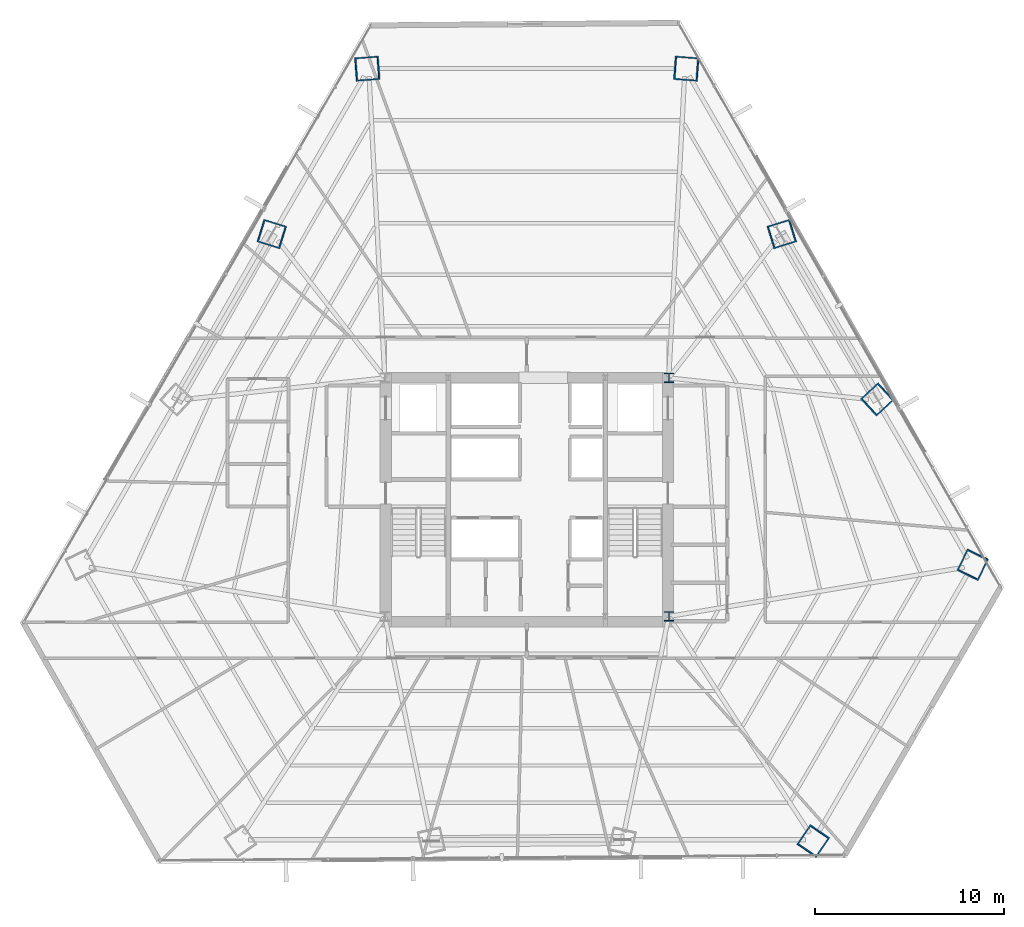
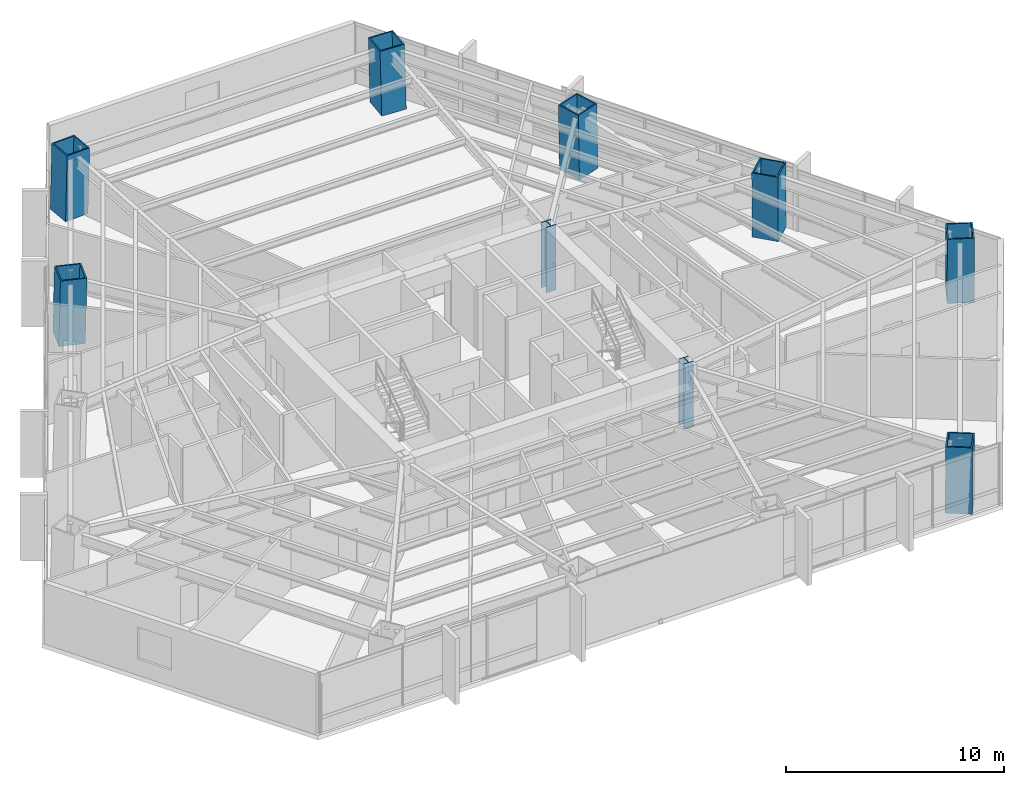
# One storey, part 3 of 36: 9 columns.
"""IFC4 building model written with IfcOpenShell, lengths in metres."""

import ifcopenshell
import ifcopenshell.guid

model = None  # the IFC model being written
_history = None  # IfcOwnerHistory: only IFC2X3 demands one
_inside = {}  # id of a spatial element -> (the spatial element, [elements in it])
_under = {}  # id of a project, library or spatial element -> (it, [spatial elements below it])
_declared = {}  # id of a project -> (the project, [libraries it declares])
_typed = {}  # id of a type object -> (the type object, [elements of that type])
_made_of = {}  # id of a material, layer set ... -> (it, [elements and type objects made of it])


def new_model(schema):
    """Start an empty IFC model of exactly this schema.

    Asked for "IFC4X3", IfcOpenShell would pick the latest addendum, in which some entities
    have other attributes; the version numbers below select the first issue.
    IFC2X3 requires an IfcOwnerHistory on every rooted entity: one is made here for all.
    """
    global model, _history
    if schema == "IFC4X3":
        model = ifcopenshell.file(schema_version=(4, 3, 0, 0))
    else:
        model = ifcopenshell.file(schema=schema)
    _inside.clear()
    _under.clear()
    _declared.clear()
    _typed.clear()
    _made_of.clear()
    _history = None
    if model.schema == "IFC2X3":
        org = make("IfcOrganization", Name="unknown")
        user = make(
            "IfcPersonAndOrganization",
            ThePerson=make("IfcPerson", FamilyName="unknown"),
            TheOrganization=org,
        )
        app = make(
            "IfcApplication",
            ApplicationDeveloper=org,
            Version="unknown",
            ApplicationFullName="unknown",
            ApplicationIdentifier="unknown",
        )
        _history = make(
            "IfcOwnerHistory",
            OwningUser=user,
            OwningApplication=app,
            ChangeAction="ADDED",
            CreationDate=0,
        )
    return model


def make(cls, **values):
    """One entity of the class cls with the attributes given. An attribute that is None is left unset."""
    return model.create_entity(
        cls, **{name: value for name, value in values.items() if value is not None}
    )


def rooted(cls, **values):
    """An entity with a GlobalId (a new one), such as an element, a storey or a relation."""
    return make(cls, GlobalId=ifcopenshell.guid.new(), OwnerHistory=_history, **values)


def si_unit(unit_type, name, prefix=None):
    """IfcSIUnit, for example si_unit("LENGTHUNIT", "METRE", prefix="MILLI")."""
    return make("IfcSIUnit", UnitType=unit_type, Prefix=prefix, Name=name)


def assignment(units):
    """IfcUnitAssignment: the units of a project."""
    return None if units is None else make("IfcUnitAssignment", Units=units)


def point(xyz):
    """IfcCartesianPoint."""
    return None if xyz is None else make("IfcCartesianPoint", Coordinates=xyz)


def direction(xyz):
    """IfcDirection."""
    return None if xyz is None else make("IfcDirection", DirectionRatios=xyz)


def frame(location, z_axis=None, x_axis=None):
    """IfcAxis2Placement3D, a coordinate frame: its origin and axes. An axis left out is left unset."""
    return make(
        "IfcAxis2Placement3D",
        Location=point(location),
        Axis=direction(z_axis),
        RefDirection=direction(x_axis),
    )


def frame_2d(location, x_axis=None):
    """IfcAxis2Placement2D, a coordinate frame in the plane: its origin and x axis."""
    return make(
        "IfcAxis2Placement2D", Location=point(location), RefDirection=direction(x_axis)
    )


def origin():
    """The frame at (0, 0, 0) with its axes left unset."""
    return frame((0.0, 0.0, 0.0))


def origin_2d():
    """The frame at (0, 0) in the plane with its x axis left unset."""
    return frame_2d((0.0, 0.0))


def place(relative_to, where):
    """IfcLocalPlacement: puts the frame where relative to a parent placement (None: the world)."""
    return make(
        "IfcLocalPlacement", PlacementRelTo=relative_to, RelativePlacement=where
    )


def context(
    kind, dimensions, precision=None, world=None, true_north=None, identifier=None
):
    """IfcGeometricRepresentationContext, for example the 3D "Model" context."""
    return make(
        "IfcGeometricRepresentationContext",
        ContextIdentifier=identifier,
        ContextType=kind,
        CoordinateSpaceDimension=dimensions,
        Precision=precision,
        WorldCoordinateSystem=world,
        TrueNorth=true_north,
    )


def subcontext(parent, identifier, kind, view, scale=None):
    """IfcGeometricRepresentationSubContext, for example "Body" below "Model"."""
    return make(
        "IfcGeometricRepresentationSubContext",
        ContextIdentifier=identifier,
        ContextType=kind,
        ParentContext=parent,
        TargetScale=scale,
        TargetView=view,
    )


def project(units=None, contexts=None):
    """IfcProject with its units and contexts."""
    return rooted(
        "IfcProject",
        Name="project",
        RepresentationContexts=contexts,
        UnitsInContext=assignment(units),
    )


def spatial(cls, under=None, at=None, **own):
    """A site, building, storey or space (cls), placed at a placement, below another one or the project."""
    s = rooted(cls, ObjectPlacement=at, **own)
    if under is not None:
        _under.setdefault(under.id(), (under, []))[1].append(s)
    return s


def profile(cls, at=None, kind="AREA", **sizes):
    """A parametric profile (cls). Its sizes go by their IFC names, for example OverallWidth=200.0."""
    return make(cls, ProfileType=kind, Position=at, **sizes)


def hollow_rectangle(**sizes):
    """IfcRectangleHollowProfileDef."""
    return profile("IfcRectangleHollowProfileDef", **sizes)


def i_section(**sizes):
    """IfcIShapeProfileDef."""
    return profile("IfcIShapeProfileDef", **sizes)


def extrude(swept, where, along, depth):
    """IfcExtrudedAreaSolid: the profile swept, set in the frame where, extruded along a direction by depth."""
    return make(
        "IfcExtrudedAreaSolid",
        SweptArea=swept,
        Position=where,
        ExtrudedDirection=direction(along),
        Depth=depth,
    )


def shape(context_of_items, identifier, shape_type, items):
    """IfcShapeRepresentation: the items that make up one representation, for example the "Body"."""
    return make(
        "IfcShapeRepresentation",
        ContextOfItems=context_of_items,
        RepresentationIdentifier=identifier,
        RepresentationType=shape_type,
        Items=items,
    )


def source(mapping_origin, context_of_items, identifier, shape_type, items):
    """IfcRepresentationMap: a shape defined once, which mapped items show again and again."""
    return make(
        "IfcRepresentationMap",
        MappingOrigin=mapping_origin,
        MappedRepresentation=shape(context_of_items, identifier, shape_type, items),
    )


def transform(
    local_origin,
    x_axis=None,
    y_axis=None,
    z_axis=None,
    scale=None,
    scale2=None,
    scale3=None,
    uniform=True,
):
    """IfcCartesianTransformationOperator3D, or its non-uniform kind. x_axis, y_axis, z_axis: its Axis1, 2, 3."""
    if uniform:
        return make(
            "IfcCartesianTransformationOperator3D",
            Axis1=direction(x_axis),
            Axis2=direction(y_axis),
            LocalOrigin=point(local_origin),
            Scale=scale,
            Axis3=direction(z_axis),
        )
    return make(
        "IfcCartesianTransformationOperator3DnonUniform",
        Axis1=direction(x_axis),
        Axis2=direction(y_axis),
        LocalOrigin=point(local_origin),
        Scale=scale,
        Axis3=direction(z_axis),
        Scale2=scale2,
        Scale3=scale3,
    )


def mapped(mapping_source, mapping_target):
    """IfcMappedItem: shows the shape of a source again, moved by a transform."""
    return make(
        "IfcMappedItem", MappingSource=mapping_source, MappingTarget=mapping_target
    )


def material(Name=None, Category=None):
    """IfcMaterial."""
    return make("IfcMaterial", Name=Name, Category=Category)


def material_profile(
    of_material, cross_section, Name=None, Category=None, Priority=None
):
    """IfcMaterialProfile: a cross section and its material."""
    return make(
        "IfcMaterialProfile",
        Name=Name,
        Material=of_material,
        Profile=cross_section,
        Priority=Priority,
        Category=Category,
    )


def profile_set(profiles, Name=None, composite=None):
    """IfcMaterialProfileSet."""
    return make(
        "IfcMaterialProfileSet",
        Name=Name,
        MaterialProfiles=profiles,
        CompositeProfile=composite,
    )


def made_of(thing, what):
    """Note that an element or type object is made of a material, layer set ...; save() writes the relation."""
    if what is not None:
        _made_of.setdefault(what.id(), (what, []))[1].append(thing)
    return thing


def type_object(cls, material=None, **own):
    """A type object (cls), such as IfcWallType, which elements share."""
    return made_of(rooted(cls, **own), material)


def type_shapes(of_type, sources):
    """Give a type object the sources (RepresentationMaps) that its elements show as mapped items."""
    of_type.RepresentationMaps = sources


def element(
    cls,
    number,
    at=None,
    inside=None,
    cuts=None,
    type_object=None,
    material=None,
    context=None,
    identifier="Body",
    shape_type=None,
    held_by="IfcProductDefinitionShape",
    body=None,
    shapes=None,
    **own,
):
    """One element of the class cls, such as IfcWall. Its Tag is "e" and its number.

    at: its placement. inside: the storey or other place that contains it. cuts: it is an
    opening in that element (IfcRelVoidsElement). A single representation is given by context,
    identifier, shape_type and body (its items); several are given by shapes. held_by: the class
    of the entity that holds the representations. save() writes the other relations.
    """
    e = rooted(cls, Tag="e%d" % number, ObjectPlacement=at, **own)
    if body is not None:
        shapes = [shape(context, identifier, shape_type, body)]
    if shapes is not None:
        e.Representation = make(held_by, Representations=shapes)
    if inside is not None:
        _inside.setdefault(inside.id(), (inside, []))[1].append(e)
    if cuts is not None:
        rooted(
            "IfcRelVoidsElement", RelatingBuildingElement=cuts, RelatedOpeningElement=e
        )
    if type_object is not None:
        _typed.setdefault(type_object.id(), (type_object, []))[1].append(e)
    return made_of(e, material)


def aggregate(whole, parts):
    """IfcRelAggregates: a whole, such as a stair, and the parts it consists of."""
    return rooted("IfcRelAggregates", RelatingObject=whole, RelatedObjects=parts)


def save(model, path):
    """Write the relations noted so far, then the file.

    IfcRelAggregates (storeys below a building ...), IfcRelContainedInSpatialStructure (elements
    in a storey), IfcRelDefinesByType, IfcRelAssociatesMaterial and IfcRelDeclares: one each for
    every whole, place, type object, material and project.
    """
    for whole, parts in _under.values():
        aggregate(whole, parts)
    for where, things in _inside.values():
        rooted(
            "IfcRelContainedInSpatialStructure",
            RelatedElements=things,
            RelatingStructure=where,
        )
    for kind, things in _typed.values():
        rooted("IfcRelDefinesByType", RelatedObjects=things, RelatingType=kind)
    for what, things in _made_of.values():
        rooted("IfcRelAssociatesMaterial", RelatedObjects=things, RelatingMaterial=what)
    for by, libraries in _declared.values():
        rooted("IfcRelDeclares", RelatingContext=by, RelatedDefinitions=libraries)
    model.write(path)


model = new_model("IFC4")

# Units and contexts
model_context = context("Model", 3, precision=1e-05, world=origin(), true_north=direction((0.0, 1.0)))
body_context = subcontext(model_context, "Body", "Model", "MODEL_VIEW")
ifc_project = project(units=[si_unit("LENGTHUNIT", "METRE"), si_unit("AREAUNIT", "SQUARE_METRE"), si_unit("VOLUMEUNIT", "CUBIC_METRE"), si_unit("PLANEANGLEUNIT", "RADIAN"), si_unit("MASSUNIT", "GRAM", prefix="KILO")], contexts=[model_context])

# Site, building, storey
site_placement = place(None, origin())
site = spatial("IfcSite", under=ifc_project, at=site_placement, CompositionType="ELEMENT")
building_placement = place(site_placement, origin())
building = spatial("IfcBuilding", under=site, at=building_placement, Name="Caelisora Broadcast Tower", CompositionType="ELEMENT")
storey_placement = place(building_placement, frame((0.0, 0.0, 64.10009765625)))
storey = spatial("IfcBuildingStorey", under=building, at=storey_placement, Name="L16", CompositionType="ELEMENT", Elevation=64.10009765625)

# Columns
ifc_material_1 = material(Name="Steel Grade 350 (AS/NZS 3679.2)", Category="steel")
ifc_material_profile_1 = material_profile(ifc_material_1, i_section(OverallWidth=0.5, OverallDepth=0.5, WebThickness=0.028076171875, FlangeThickness=0.0400390625, at=origin_2d()), Name="Steel Grade 350 (AS/NZS 3679.2)")
ifc_profile_set_1 = profile_set([ifc_material_profile_1], Name="Steel Grade 350 (AS/NZS 3679.2)")
column_type_1 = type_object("IfcColumnType", Name="CC01", PredefinedType="COLUMN", material=ifc_profile_set_1)
shared_shape_1 = source(origin(), body_context, "Body", "SweptSolid", [
    extrude(i_section(OverallWidth=0.5, OverallDepth=0.5, WebThickness=0.028076171875, FlangeThickness=0.0400390625, at=origin_2d()), origin(), (0.0, 0.0, 1.0), 3.64990234375),
])
type_shapes(column_type_1, [shared_shape_1])
for number, where, z_axis, x_axis, name in (
    (1, (45.5, 17.39990234375, 0.0), (0.0, 0.0, 1.0), (1.0, 0.0, 0.0), "L16 column CC01"),
    (2, (45.5, 30.0, 0.0), (0.0, 0.0, 1.0), (1.0, 0.0, 0.0), "L16 column CC01"),
):
    element("IfcColumn", number, at=place(storey_placement, frame(where, z_axis=z_axis, x_axis=x_axis)), inside=storey, type_object=column_type_1, Name=name, PredefinedType="COLUMN", context=body_context, shape_type="MappedRepresentation", body=[
        mapped(shared_shape_1, transform((0.0, 0.0, 0.0), scale=1.0)),
    ])
ifc_material_2 = material(Name="Steel Grade 350 L15 (AS/NZS 3678)", Category="steel")
ifc_material_profile_2 = material_profile(ifc_material_2, hollow_rectangle(XDim=1.25, YDim=1.25, WallThickness=0.070068359375, at=origin_2d()), Name="Steel Grade 350 L15 (AS/NZS 3678)")
ifc_profile_set_2 = profile_set([ifc_material_profile_2], Name="Steel Grade 350 L15 (AS/NZS 3678)")
column_type_2 = type_object("IfcColumnType", Name="MC02", PredefinedType="COLUMN", material=ifc_profile_set_2)
shared_shape_2 = source(origin(), body_context, "Body", "SweptSolid", [
    extrude(hollow_rectangle(XDim=1.25, YDim=1.25, WallThickness=0.070068359375, at=origin_2d()), origin(), (0.0, 0.0, 1.0), 3.65087890625),
])
for number, where, z_axis, x_axis, name in (
    (3, (46.439697265625, 46.336181640625, 0.0), (-0.023939586357, 0.00180549953, 0.999711776652), (-0.075205412575, -0.997168063026, 0.0), "L16 column MC02"),
    (4, (29.560302734375, 46.336181640625, 0.0), (0.023939586357, 0.00180549953, 0.999711776652), (-0.075205412575, 0.997168063026, 0.0), "L16 column MC02"),
    (5, (53.123779296875, 5.52294921875, 0.0), (0.013507825582, 0.019793645407, 0.999712833893), (-0.825991119814, 0.563683129062, 0.0), "L16 column MC02"),
    (6, (61.563720703125, 20.140869140625, 0.0), (-0.010498643418, -0.021599119899, 0.999711586662), (0.899383059768, -0.437161425336, 0.0), "L16 column MC02"),
):
    element("IfcColumn", number, at=place(storey_placement, frame(where, z_axis=z_axis, x_axis=x_axis)), inside=storey, type_object=column_type_2, Name=name, PredefinedType="COLUMN", context=body_context, shape_type="MappedRepresentation", body=[
        mapped(shared_shape_2, transform((0.0, 0.0, 0.0), scale=1.0)),
    ])
shared_shape_3 = source(origin(), body_context, "Body", "SweptSolid", [
    extrude(hollow_rectangle(XDim=1.25, YDim=1.25, WallThickness=0.070068359375, at=origin_2d()), origin(), (0.0, 0.0, 1.0), 3.650634765625),
])
type_shapes(column_type_2, [shared_shape_2, shared_shape_3])
for number, where, z_axis, x_axis, name in (
    (7, (24.51904296875, 37.6044921875, 0.0), (0.019393993486, -0.006018825565, 0.999793802119), (0.296399214872, 0.955064136811, 0.0), "L16 column MC02"),
    (8, (56.522216796875, 28.87255859375, 0.0), (-0.014913313399, -0.013776424037, 0.999793880369), (0.678553674548, -0.734550822447, 0.0), "L16 column MC02"),
    (9, (51.48095703125, 37.6044921875, 0.0), (-0.019393993486, -0.006018825565, 0.999793802119), (0.296399214872, -0.955064136811, 0.0), "L16 column MC02"),
):
    element("IfcColumn", number, at=place(storey_placement, frame(where, z_axis=z_axis, x_axis=x_axis)), inside=storey, type_object=column_type_2, Name=name, PredefinedType="COLUMN", context=body_context, shape_type="MappedRepresentation", body=[
        mapped(shared_shape_3, transform((0.0, 0.0, 0.0), scale=1.0)),
    ])

save(model, "model.ifc")
